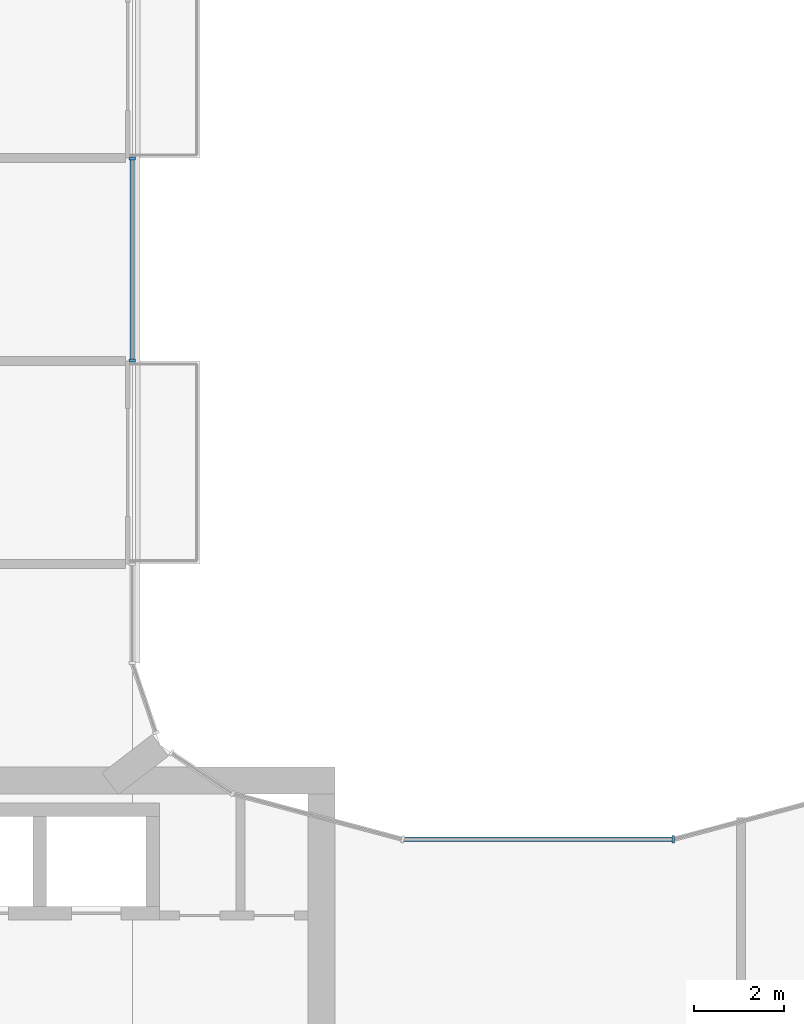
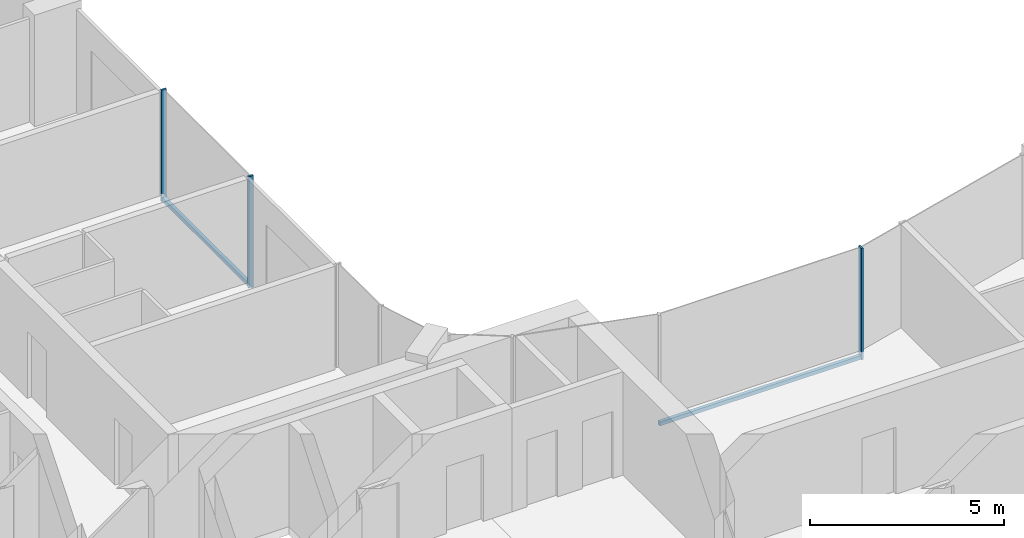
# One storey, part 5 of 15: 5 members, 2 elements without a shape of their own.
"""IFC4 building model written with IfcOpenShell, lengths in metres."""

import ifcopenshell
import ifcopenshell.guid

model = None  # the IFC model being written
_history = None  # IfcOwnerHistory: only IFC2X3 demands one
_inside = {}  # id of a spatial element -> (the spatial element, [elements in it])
_under = {}  # id of a project, library or spatial element -> (it, [spatial elements below it])
_declared = {}  # id of a project -> (the project, [libraries it declares])
_typed = {}  # id of a type object -> (the type object, [elements of that type])
_made_of = {}  # id of a material, layer set ... -> (it, [elements and type objects made of it])


def new_model(schema):
    """Start an empty IFC model of exactly this schema.

    Asked for "IFC4X3", IfcOpenShell would pick the latest addendum, in which some entities
    have other attributes; the version numbers below select the first issue.
    IFC2X3 requires an IfcOwnerHistory on every rooted entity: one is made here for all.
    """
    global model, _history
    if schema == "IFC4X3":
        model = ifcopenshell.file(schema_version=(4, 3, 0, 0))
    else:
        model = ifcopenshell.file(schema=schema)
    _inside.clear()
    _under.clear()
    _declared.clear()
    _typed.clear()
    _made_of.clear()
    _history = None
    if model.schema == "IFC2X3":
        org = make("IfcOrganization", Name="unknown")
        user = make(
            "IfcPersonAndOrganization",
            ThePerson=make("IfcPerson", FamilyName="unknown"),
            TheOrganization=org,
        )
        app = make(
            "IfcApplication",
            ApplicationDeveloper=org,
            Version="unknown",
            ApplicationFullName="unknown",
            ApplicationIdentifier="unknown",
        )
        _history = make(
            "IfcOwnerHistory",
            OwningUser=user,
            OwningApplication=app,
            ChangeAction="ADDED",
            CreationDate=0,
        )
    return model


def make(cls, **values):
    """One entity of the class cls with the attributes given. An attribute that is None is left unset."""
    return model.create_entity(
        cls, **{name: value for name, value in values.items() if value is not None}
    )


def rooted(cls, **values):
    """An entity with a GlobalId (a new one), such as an element, a storey or a relation."""
    return make(cls, GlobalId=ifcopenshell.guid.new(), OwnerHistory=_history, **values)


def si_unit(unit_type, name, prefix=None):
    """IfcSIUnit, for example si_unit("LENGTHUNIT", "METRE", prefix="MILLI")."""
    return make("IfcSIUnit", UnitType=unit_type, Prefix=prefix, Name=name)


def assignment(units):
    """IfcUnitAssignment: the units of a project."""
    return None if units is None else make("IfcUnitAssignment", Units=units)


def point(xyz):
    """IfcCartesianPoint."""
    return None if xyz is None else make("IfcCartesianPoint", Coordinates=xyz)


def direction(xyz):
    """IfcDirection."""
    return None if xyz is None else make("IfcDirection", DirectionRatios=xyz)


def frame(location, z_axis=None, x_axis=None):
    """IfcAxis2Placement3D, a coordinate frame: its origin and axes. An axis left out is left unset."""
    return make(
        "IfcAxis2Placement3D",
        Location=point(location),
        Axis=direction(z_axis),
        RefDirection=direction(x_axis),
    )


def frame_2d(location, x_axis=None):
    """IfcAxis2Placement2D, a coordinate frame in the plane: its origin and x axis."""
    return make(
        "IfcAxis2Placement2D", Location=point(location), RefDirection=direction(x_axis)
    )


def origin():
    """The frame at (0, 0, 0) with its axes left unset."""
    return frame((0.0, 0.0, 0.0))


def origin_2d():
    """The frame at (0, 0) in the plane with its x axis left unset."""
    return frame_2d((0.0, 0.0))


def place(relative_to, where):
    """IfcLocalPlacement: puts the frame where relative to a parent placement (None: the world)."""
    return make(
        "IfcLocalPlacement", PlacementRelTo=relative_to, RelativePlacement=where
    )


def context(
    kind, dimensions, precision=None, world=None, true_north=None, identifier=None
):
    """IfcGeometricRepresentationContext, for example the 3D "Model" context."""
    return make(
        "IfcGeometricRepresentationContext",
        ContextIdentifier=identifier,
        ContextType=kind,
        CoordinateSpaceDimension=dimensions,
        Precision=precision,
        WorldCoordinateSystem=world,
        TrueNorth=true_north,
    )


def subcontext(parent, identifier, kind, view, scale=None):
    """IfcGeometricRepresentationSubContext, for example "Body" below "Model"."""
    return make(
        "IfcGeometricRepresentationSubContext",
        ContextIdentifier=identifier,
        ContextType=kind,
        ParentContext=parent,
        TargetScale=scale,
        TargetView=view,
    )


def project(units=None, contexts=None):
    """IfcProject with its units and contexts."""
    return rooted(
        "IfcProject",
        Name="project",
        RepresentationContexts=contexts,
        UnitsInContext=assignment(units),
    )


def spatial(cls, under=None, at=None, **own):
    """A site, building, storey or space (cls), placed at a placement, below another one or the project."""
    s = rooted(cls, ObjectPlacement=at, **own)
    if under is not None:
        _under.setdefault(under.id(), (under, []))[1].append(s)
    return s


def profile(cls, at=None, kind="AREA", **sizes):
    """A parametric profile (cls). Its sizes go by their IFC names, for example OverallWidth=200.0."""
    return make(cls, ProfileType=kind, Position=at, **sizes)


def rectangle(**sizes):
    """IfcRectangleProfileDef."""
    return profile("IfcRectangleProfileDef", **sizes)


def extrude(swept, where, along, depth):
    """IfcExtrudedAreaSolid: the profile swept, set in the frame where, extruded along a direction by depth."""
    return make(
        "IfcExtrudedAreaSolid",
        SweptArea=swept,
        Position=where,
        ExtrudedDirection=direction(along),
        Depth=depth,
    )


def shape(context_of_items, identifier, shape_type, items):
    """IfcShapeRepresentation: the items that make up one representation, for example the "Body"."""
    return make(
        "IfcShapeRepresentation",
        ContextOfItems=context_of_items,
        RepresentationIdentifier=identifier,
        RepresentationType=shape_type,
        Items=items,
    )


def material(Name=None, Category=None):
    """IfcMaterial."""
    return make("IfcMaterial", Name=Name, Category=Category)


def layer(
    of_material, thickness, ventilated=None, Name=None, Category=None, Priority=None
):
    """IfcMaterialLayer: one layer of a wall or slab, of a material (None: an air gap)."""
    return make(
        "IfcMaterialLayer",
        Material=of_material,
        LayerThickness=thickness,
        IsVentilated=ventilated,
        Name=Name,
        Category=Category,
        Priority=Priority,
    )


def layer_set(layers, Name=None):
    """IfcMaterialLayerSet."""
    return make("IfcMaterialLayerSet", MaterialLayers=layers, LayerSetName=Name)


def material_profile(
    of_material, cross_section, Name=None, Category=None, Priority=None
):
    """IfcMaterialProfile: a cross section and its material."""
    return make(
        "IfcMaterialProfile",
        Name=Name,
        Material=of_material,
        Profile=cross_section,
        Priority=Priority,
        Category=Category,
    )


def profile_set(profiles, Name=None, composite=None):
    """IfcMaterialProfileSet."""
    return make(
        "IfcMaterialProfileSet",
        Name=Name,
        MaterialProfiles=profiles,
        CompositeProfile=composite,
    )


def made_of(thing, what):
    """Note that an element or type object is made of a material, layer set ...; save() writes the relation."""
    if what is not None:
        _made_of.setdefault(what.id(), (what, []))[1].append(thing)
    return thing


def type_object(cls, material=None, **own):
    """A type object (cls), such as IfcWallType, which elements share."""
    return made_of(rooted(cls, **own), material)


def element(
    cls,
    number,
    at=None,
    inside=None,
    cuts=None,
    type_object=None,
    material=None,
    context=None,
    identifier="Body",
    shape_type=None,
    held_by="IfcProductDefinitionShape",
    body=None,
    shapes=None,
    **own,
):
    """One element of the class cls, such as IfcWall. Its Tag is "e" and its number.

    at: its placement. inside: the storey or other place that contains it. cuts: it is an
    opening in that element (IfcRelVoidsElement). A single representation is given by context,
    identifier, shape_type and body (its items); several are given by shapes. held_by: the class
    of the entity that holds the representations. save() writes the other relations.
    """
    e = rooted(cls, Tag="e%d" % number, ObjectPlacement=at, **own)
    if body is not None:
        shapes = [shape(context, identifier, shape_type, body)]
    if shapes is not None:
        e.Representation = make(held_by, Representations=shapes)
    if inside is not None:
        _inside.setdefault(inside.id(), (inside, []))[1].append(e)
    if cuts is not None:
        rooted(
            "IfcRelVoidsElement", RelatingBuildingElement=cuts, RelatedOpeningElement=e
        )
    if type_object is not None:
        _typed.setdefault(type_object.id(), (type_object, []))[1].append(e)
    return made_of(e, material)


def aggregate(whole, parts):
    """IfcRelAggregates: a whole, such as a stair, and the parts it consists of."""
    return rooted("IfcRelAggregates", RelatingObject=whole, RelatedObjects=parts)


def save(model, path):
    """Write the relations noted so far, then the file.

    IfcRelAggregates (storeys below a building ...), IfcRelContainedInSpatialStructure (elements
    in a storey), IfcRelDefinesByType, IfcRelAssociatesMaterial and IfcRelDeclares: one each for
    every whole, place, type object, material and project.
    """
    for whole, parts in _under.values():
        aggregate(whole, parts)
    for where, things in _inside.values():
        rooted(
            "IfcRelContainedInSpatialStructure",
            RelatedElements=things,
            RelatingStructure=where,
        )
    for kind, things in _typed.values():
        rooted("IfcRelDefinesByType", RelatedObjects=things, RelatingType=kind)
    for what, things in _made_of.values():
        rooted("IfcRelAssociatesMaterial", RelatedObjects=things, RelatingMaterial=what)
    for by, libraries in _declared.values():
        rooted("IfcRelDeclares", RelatingContext=by, RelatedDefinitions=libraries)
    model.write(path)


model = new_model("IFC4")

# Units and contexts
model_context = context("Model", 3, precision=1e-05, world=origin(), true_north=direction((0.0, 1.0)))
body_context = subcontext(model_context, "Body", "Model", "MODEL_VIEW")
ifc_project = project(units=[si_unit("LENGTHUNIT", "METRE"), si_unit("AREAUNIT", "SQUARE_METRE"), si_unit("VOLUMEUNIT", "CUBIC_METRE"), si_unit("PLANEANGLEUNIT", "RADIAN"), si_unit("MASSUNIT", "GRAM", prefix="KILO")], contexts=[model_context])

# Site, building, storey
site_placement = place(None, origin())
site = spatial("IfcSite", under=ifc_project, at=site_placement, CompositionType="ELEMENT")
building_placement = place(site_placement, origin())
building = spatial("IfcBuilding", under=site, at=building_placement, Name="Plateau Cross Towers", CompositionType="ELEMENT")
storey_placement = place(building_placement, frame((0.0, 0.0, 149.89990234375)))
storey = spatial("IfcBuildingStorey", under=building, at=storey_placement, Name="L38", CompositionType="ELEMENT", Elevation=149.89990234375)

# Curtain wall, members
ifc_material_1 = material(Name="Dark low-iron glass", Category="glass")
ifc_layer_1 = layer(ifc_material_1, 0.239990234375)
ifc_layer_set_1 = layer_set([ifc_layer_1], Name="Dark low-iron glass")
curtain_wall_type_1 = type_object("IfcCurtainWallType", Name="Curtain wall flush unitised CW-B", PredefinedType="NOTDEFINED", material=ifc_layer_set_1)
curtain_wall_1_placement = place(storey_placement, origin())
curtain_wall_1 = element("IfcCurtainWall", 1, at=curtain_wall_1_placement, inside=storey, type_object=curtain_wall_type_1, Name="ENV/A/L38/A180_270", PredefinedType="NOTDEFINED")
ifc_material_2 = material(Name="Black anodised aluminium", Category="aluminium")
ifc_material_profile_1 = material_profile(ifc_material_2, rectangle(XDim=0.06005859375, YDim=0.139892578125, at=origin_2d()), Name="MULLION 60x140")
ifc_profile_set_1 = profile_set([ifc_material_profile_1], Name="Black anodised aluminium")
member_type_1 = type_object("IfcMemberType", Name="Mullion 60x140 flush unitised", PredefinedType="MULLION", material=ifc_profile_set_1)
member_1_placement = place(storey_placement, frame((18.0, 27.010009765625, -0.25), z_axis=(0.0, 0.0, 1.0), x_axis=(0.0, 1.0, 0.0)))
member_1 = element("IfcMember", 2, at=member_1_placement, type_object=member_type_1, Name="CW-B mullion 1", PredefinedType="MULLION", context=body_context, shape_type="SweptSolid", body=[
    extrude(rectangle(XDim=0.06005859375, YDim=0.139892578125, at=origin_2d()), origin(), (0.0, 0.0, 1.0), 3.5),
])
member_2_placement = place(storey_placement, frame((18.0, 31.489990234375, -0.25), z_axis=(0.0, 0.0, 1.0), x_axis=(0.0, 1.0, 0.0)))
member_2 = element("IfcMember", 3, at=member_2_placement, type_object=member_type_1, Name="CW-B mullion 2", PredefinedType="MULLION", context=body_context, shape_type="SweptSolid", body=[
    extrude(rectangle(XDim=0.06005859375, YDim=0.139892578125, at=origin_2d()), origin(), (0.0, 0.0, 1.0), 3.5),
])

# Curtain wall, member
ifc_layer_2 = layer(ifc_material_1, 0.260009765625)
ifc_layer_set_2 = layer_set([ifc_layer_2], Name="Dark low-iron glass")
curtain_wall_type_2 = type_object("IfcCurtainWallType", Name="Curtain wall fluted unitised CW-A", PredefinedType="NOTDEFINED", material=ifc_layer_set_2)
curtain_wall_2_placement = place(storey_placement, origin())
curtain_wall_2 = element("IfcCurtainWall", 4, at=curtain_wall_2_placement, inside=storey, type_object=curtain_wall_type_2, Name="ENV/A/L38/A300_164", PredefinedType="NOTDEFINED")
ifc_material_profile_2 = material_profile(ifc_material_2, rectangle(XDim=0.06005859375, YDim=0.159912109375, at=origin_2d()), Name="MULLION 60x160")
ifc_profile_set_2 = profile_set([ifc_material_profile_2], Name="Black anodised aluminium")
member_type_2 = type_object("IfcMemberType", Name="Mullion 60x160 fluted unitised", PredefinedType="MULLION", material=ifc_profile_set_2)
member_3_placement = place(storey_placement, frame((30.0, 16.39306640625, -0.25), z_axis=(0.0, 0.0, 1.0), x_axis=(-1.0, 0.0, 0.0)))
member_3 = element("IfcMember", 5, at=member_3_placement, type_object=member_type_2, Name="CW-A mullion 1", PredefinedType="MULLION", context=body_context, shape_type="SweptSolid", body=[
    extrude(rectangle(XDim=0.06005859375, YDim=0.159912109375, at=origin_2d()), origin(), (0.0, 0.0, 1.0), 3.5),
])

# Member
ifc_material_profile_3 = material_profile(ifc_material_2, rectangle(XDim=0.10009765625, YDim=0.1201171875, at=origin_2d()), Name="TRANSOM 100x120")
ifc_profile_set_3 = profile_set([ifc_material_profile_3], Name="Black anodised aluminium")
member_type_3 = type_object("IfcMemberType", Name="Transom 100x120 flush unitised", PredefinedType="USERDEFINED", material=ifc_profile_set_3)
member_4_placement = place(storey_placement, frame((18.0, 27.010009765625, -0.18994140625), z_axis=(0.0, 1.0, 0.0), x_axis=(-1.0, 0.0, 0.0)))
member_4 = element("IfcMember", 6, at=member_4_placement, type_object=member_type_3, Name="CW-B transom", ObjectType="TRANSOM", PredefinedType="USERDEFINED", context=body_context, shape_type="SweptSolid", body=[
    extrude(rectangle(XDim=0.10009765625, YDim=0.1201171875, at=origin_2d()), origin(), (0.0, 0.0, 1.0), 4.47998046875),
])

aggregate(curtain_wall_1, [member_1, member_2, member_4])

ifc_material_profile_4 = material_profile(ifc_material_2, rectangle(XDim=0.10009765625, YDim=0.1201171875, at=origin_2d()), Name="TRANSOM 100x120")
ifc_profile_set_4 = profile_set([ifc_material_profile_4], Name="Black anodised aluminium")
member_type_4 = type_object("IfcMemberType", Name="Transom 100x120 fluted unitised", PredefinedType="USERDEFINED", material=ifc_profile_set_4)
member_5_placement = place(storey_placement, frame((30.0, 16.39306640625, -0.18994140625), z_axis=(-1.0, 0.0, 0.0), x_axis=(0.0, -1.0, 0.0)))
member_5 = element("IfcMember", 7, at=member_5_placement, type_object=member_type_4, Name="CW-A transom", ObjectType="TRANSOM", PredefinedType="USERDEFINED", context=body_context, shape_type="SweptSolid", body=[
    extrude(rectangle(XDim=0.10009765625, YDim=0.1201171875, at=origin_2d()), origin(), (0.0, 0.0, 1.0), 6.0),
])

aggregate(curtain_wall_2, [member_3, member_5])

save(model, "model.ifc")
